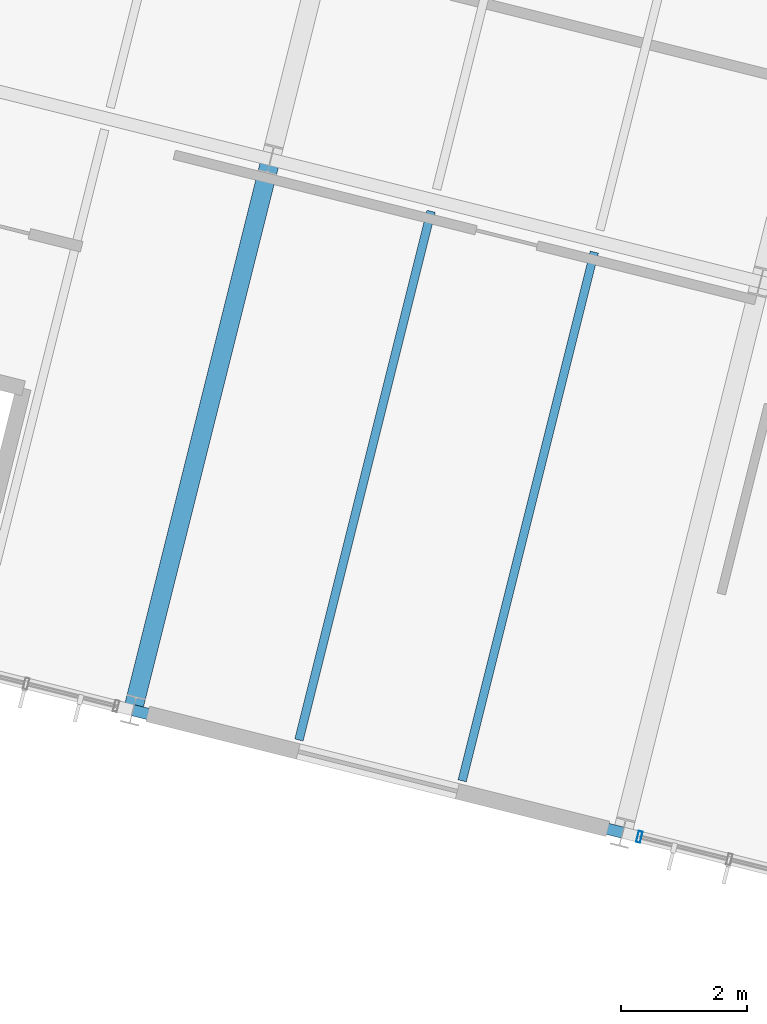
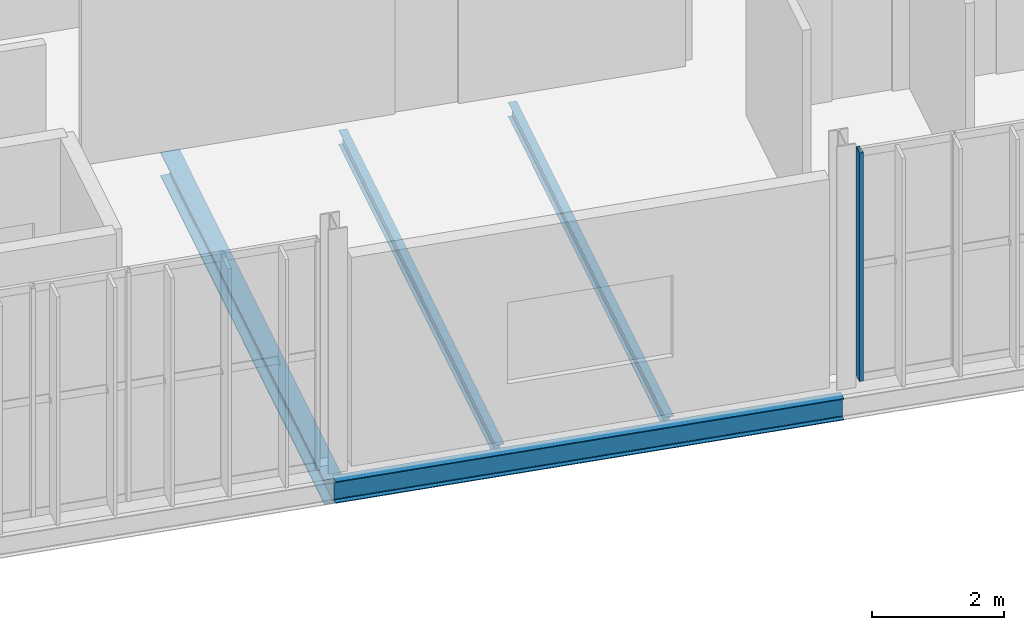
# One storey, part 80 of 152: 4 beams, 1 member, 1 element without a shape of its own.
"""IFC4 building model written with IfcOpenShell, lengths in metres."""

from ifc_helpers import new_model, si_unit, derived_unit, direction, frame, origin, origin_2d, place, context, subcontext, project, spatial, hollow_rectangle, i_section, extrude, material, material_profile, profile_set, type_object, element, aggregate, save


model = new_model("IFC4")

# Units and contexts
model_context = context("Model", 3, precision=1e-05, world=origin(), true_north=direction((0.0, 1.0)))
body_context = subcontext(model_context, "Body", "Model", "MODEL_VIEW")
ifc_project = project(units=[si_unit("LENGTHUNIT", "METRE"), si_unit("AREAUNIT", "SQUARE_METRE"), si_unit("VOLUMEUNIT", "CUBIC_METRE"), si_unit("PLANEANGLEUNIT", "RADIAN"), si_unit("MASSUNIT", "GRAM", prefix="KILO"), si_unit("THERMODYNAMICTEMPERATUREUNIT", "KELVIN"), si_unit("TIMEUNIT", "SECOND"), derived_unit("THERMALTRANSMITTANCEUNIT", [(si_unit("MASSUNIT", "GRAM", prefix="KILO"), 1), (si_unit("THERMODYNAMICTEMPERATUREUNIT", "KELVIN"), -1), (si_unit("TIMEUNIT", "SECOND"), -3)])], contexts=[model_context])

# Site, building, storey
site_placement = place(None, origin())
site = spatial("IfcSite", under=ifc_project, at=site_placement, CompositionType="ELEMENT")
building_placement = place(site_placement, origin())
building = spatial("IfcBuilding", under=site, at=building_placement, Name="Cambertide Market Hall", CompositionType="ELEMENT")
storey_placement = place(building_placement, frame((0.0, 0.0, 5.39990234375)))
storey = spatial("IfcBuildingStorey", under=building, at=storey_placement, Name="L02", CompositionType="ELEMENT", Elevation=5.39990234375)

# Curtain wall, member
ifc_material_1 = material(Name="Marine Anodized Aluminium 6063-T6 AA25", Category="aluminium")
curtain_wall_type = type_object("IfcCurtainWallType", Name="Cooking School Classroom Curtain Wall", PredefinedType="USERDEFINED", material=ifc_material_1)
curtain_wall_placement = place(storey_placement, origin())
curtain_wall = element("IfcCurtainWall", 1, at=curtain_wall_placement, inside=storey, type_object=curtain_wall_type, Name="Level 2 Curtain Wall CW-V4S-L02-5", ObjectType="UNITIZED CURTAIN WALL", PredefinedType="USERDEFINED")
ifc_material_2 = material(Name="Champagne Marine Anodized Aluminium 6063-T6 AA25", Category="aluminium")
ifc_material_profile_1 = material_profile(ifc_material_2, hollow_rectangle(XDim=0.06494140625, YDim=0.179931640625, WallThickness=0.00390625, at=origin_2d()), Name="ALU MULLION 65x180")
ifc_profile_set_1 = profile_set([ifc_material_profile_1], Name="Champagne Marine Anodized Aluminium 6063-T6 AA25")
member_type = type_object("IfcMemberType", Name="Curtain Wall Mullion ALU MULLION 65x180", PredefinedType="MULLION", material=ifc_profile_set_1)
member_placement = place(storey_placement, frame((139.311279296875, 92.172119140625, 0.0), z_axis=(0.0, 0.0, 1.0), x_axis=(-0.970142531436, 0.242535499875, 0.0)))
member = element("IfcMember", 2, at=member_placement, type_object=member_type, Name="CW-V4S-L02-5 Mullion 6", PredefinedType="MULLION", context=body_context, shape_type="SweptSolid", body=[
    extrude(hollow_rectangle(XDim=0.06494140625, YDim=0.179931640625, WallThickness=0.00390625, at=origin_2d()), origin(), (0.0, 0.0, 1.0), 4.22021484375),
])
aggregate(curtain_wall, [member])

# Beams
ifc_material_3 = material(Name="Steel S355", Category="steel")
ifc_material_profile_2 = material_profile(ifc_material_3, i_section(OverallWidth=0.179931640625, OverallDepth=0.39990234375, WebThickness=0.008544921875, FlangeThickness=0.013427734375, FilletRadius=0.02099609375, at=origin_2d()), Name="IPE 400")
ifc_profile_set_2 = profile_set([ifc_material_profile_2], Name="Steel S355")
beam_type_1 = type_object("IfcBeamType", Name="Perimeter Spandrel Beam IPE 400", PredefinedType="SPANDREL", material=ifc_profile_set_2)
beam_1_placement = place(storey_placement, frame((131.283447265625, 94.17919921875, -0.46484375), z_axis=(0.970138909791, -0.242549986002, 0.0), x_axis=(0.242549986002, 0.970138909791, 0.0)))
element("IfcBeam", 3, at=beam_1_placement, inside=storey, type_object=beam_type_1, Name="Level 2 Spandrel BM-V4U-L02-4-1", PredefinedType="SPANDREL", context=body_context, shape_type="SweptSolid", body=[
    extrude(i_section(OverallWidth=0.179931640625, OverallDepth=0.39990234375, WebThickness=0.008544921875, FlangeThickness=0.013427734375, FilletRadius=0.02099609375, at=origin_2d()), origin(), (0.0, 0.0, 1.0), 8.000244140625),
])
ifc_material_4 = material(Name="Steel S355", Category="steel")
ifc_material_profile_3 = material_profile(ifc_material_4, i_section(OverallWidth=0.300048828125, OverallDepth=0.449951171875, WebThickness=0.013916015625, FlangeThickness=0.02587890625, FilletRadius=0.027099609375, at=origin_2d()), Name="HEB 450")
ifc_profile_set_3 = profile_set([ifc_material_profile_3], Name="Steel S355")
beam_type_2 = type_object("IfcBeamType", Name="Steel Girder HEB 450", PredefinedType="BEAM", material=ifc_profile_set_3)
beam_2_placement = place(storey_placement, frame((131.283447265625, 94.17919921875, -0.489990234375), z_axis=(0.242542007841, 0.970140904422, 0.0), x_axis=(-0.970140904422, 0.242542007841, 0.0)))
element("IfcBeam", 4, at=beam_2_placement, inside=storey, type_object=beam_type_2, Name="Level 2 Beam BM-V4V-L02-4-1", PredefinedType="BEAM", context=body_context, shape_type="SweptSolid", body=[
    extrude(i_section(OverallWidth=0.300048828125, OverallDepth=0.449951171875, WebThickness=0.013916015625, FlangeThickness=0.02587890625, FilletRadius=0.027099609375, at=origin_2d()), origin(), (0.0, 0.0, 1.0), 9.0),
])
ifc_material_5 = material(Name="Steel S275", Category="steel")
ifc_material_profile_4 = material_profile(ifc_material_5, i_section(OverallWidth=0.135009765625, OverallDepth=0.27001953125, WebThickness=0.006591796875, FlangeThickness=0.01025390625, FilletRadius=0.014892578125, at=origin_2d()), Name="IPE 270")
ifc_profile_set_4 = profile_set([ifc_material_profile_4], Name="Steel S275")
beam_type_3 = type_object("IfcBeamType", Name="Steel Secondary Joist IPE 270", PredefinedType="JOIST", material=ifc_profile_set_4)
for number, where, z_axis, x_axis, name in (
    (5, (133.9140625, 93.70703125, -0.39990234375), (0.242528976348, 0.970144162293, 0.0), (-0.970144162293, 0.242528976348, 0.0), "Level 2 Joist JS-V4-L02-4-1-1"),
    (6, (136.501220703125, 93.060302734375, -0.39990234375), (0.242528976348, 0.970144162293, 0.0), (-0.970144162293, 0.242528976348, 0.0), "Level 2 Joist JS-V4-L02-4-1-2"),
):
    element("IfcBeam", number, at=place(storey_placement, frame(where, z_axis=z_axis, x_axis=x_axis)), inside=storey, type_object=beam_type_3, Name=name, PredefinedType="JOIST", context=body_context, shape_type="SweptSolid", body=[
        extrude(i_section(OverallWidth=0.135009765625, OverallDepth=0.27001953125, WebThickness=0.006591796875, FlangeThickness=0.01025390625, FilletRadius=0.014892578125, at=origin_2d()), origin(), (0.0, 0.0, 1.0), 8.64013671875),
    ])

save(model, "model.ifc")
